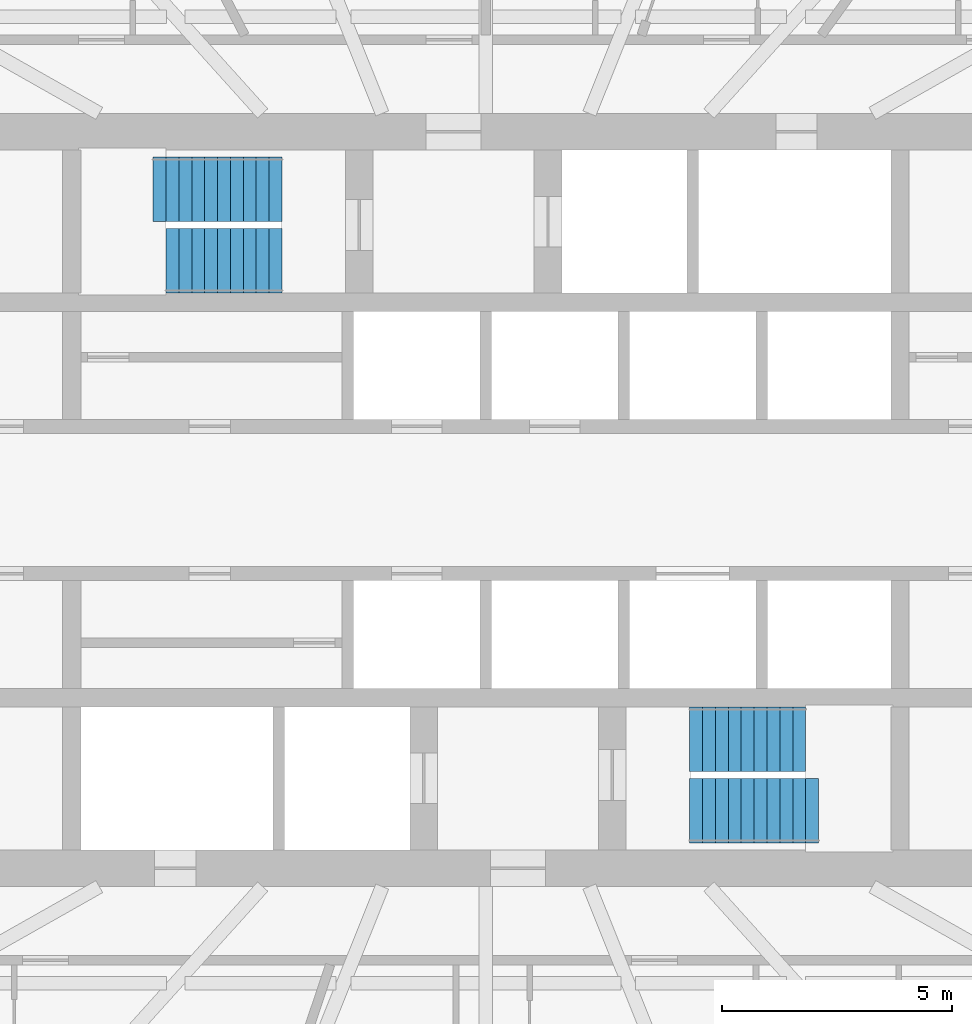
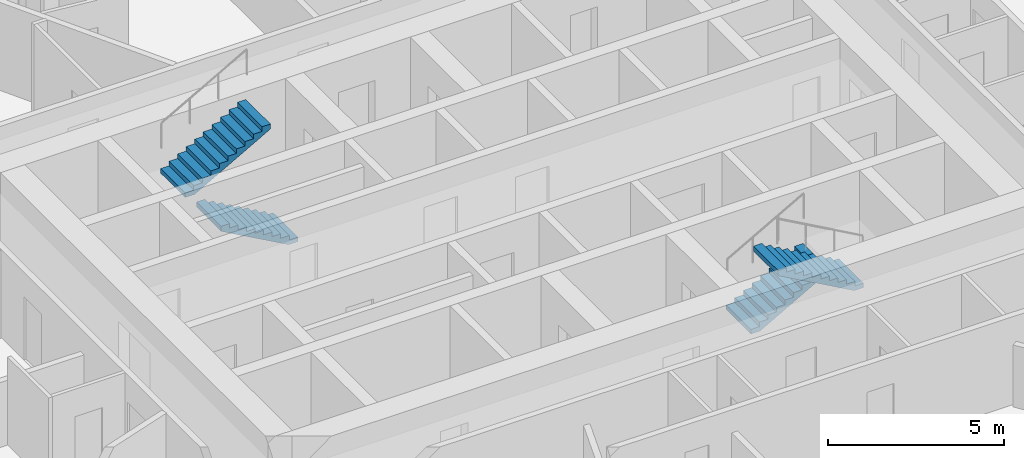
# One storey, part 13 of 14: 4 stair flights, 2 elements without a shape of their own.
"""IFC4 building model written with IfcOpenShell, lengths in metres."""

from ifc_helpers import new_model, si_unit, direction, frame, origin, place, context, subcontext, project, spatial, polyline, outline, extrude, material, type_object, element, aggregate, save


model = new_model("IFC4")

# Units and contexts
model_context = context("Model", 3, precision=1e-05, world=origin(), true_north=direction((0.0, 1.0)))
body_context = subcontext(model_context, "Body", "Model", "MODEL_VIEW")
ifc_project = project(units=[si_unit("LENGTHUNIT", "METRE"), si_unit("AREAUNIT", "SQUARE_METRE"), si_unit("VOLUMEUNIT", "CUBIC_METRE"), si_unit("PLANEANGLEUNIT", "RADIAN"), si_unit("MASSUNIT", "GRAM", prefix="KILO")], contexts=[model_context])

# Site, building, storey
site_placement = place(None, origin())
site = spatial("IfcSite", under=ifc_project, at=site_placement, CompositionType="ELEMENT")
building_placement = place(site_placement, origin())
building = spatial("IfcBuilding", under=site, at=building_placement, Name="Hankou Lantern Tower", CompositionType="ELEMENT")
storey_placement = place(building_placement, frame((0.0, 0.0, 183.0)))
storey = spatial("IfcBuildingStorey", under=building, at=storey_placement, Name="L49", CompositionType="ELEMENT", Elevation=183.0)

# Stair, stair flight
ifc_material_1 = material(Name="Concrete C40", Category="concrete")
stair_type = type_object("IfcStairType", Name="ST33 CORE STAIR 3300 RISE", PredefinedType="HALF_TURN_STAIR", material=ifc_material_1)
stair_1_placement = place(storey_placement, origin())
stair_1 = element("IfcStair", 1, at=stair_1_placement, inside=storey, type_object=stair_type, Name="Stair STA L49", PredefinedType="HALF_TURN_STAIR")
ifc_material_2 = material(Name="Concrete C40", Category="concrete")
stair_flight_type_1 = type_object("IfcStairFlightType", Name="CF10 CORE STAIR FLIGHT 1400 X 10 RISERS", PredefinedType="STRAIGHT", material=ifc_material_2)
stair_flight_1_placement = place(storey_placement, frame((-4.429931640625, 5.199951171875, 0.0), z_axis=(0.0, 0.0, 1.0), x_axis=(-1.0, 0.0, 0.0)))
stair_flight_1 = element("IfcStairFlight", 2, at=stair_flight_1_placement, type_object=stair_flight_type_1, Name="STA flight 1", NumberOfRisers=10, NumberOfTreads=9, PredefinedType="STRAIGHT", RiserHeight=0.157142857, TreadLength=0.28, context=body_context, shape_type="SweptSolid", body=[
    extrude(outline(polyline([(0.0, 0.0), (0.0, 0.1572265625), (0.280029296875, 0.1572265625), (0.280029296875, 0.314208984375), (0.56005859375, 0.314208984375), (0.56005859375, 0.471435546875), (0.840087890625, 0.471435546875), (0.840087890625, 0.628662109375), (1.1201171875, 0.628662109375), (1.1201171875, 0.78564453125), (1.39990234375, 0.78564453125), (1.39990234375, 0.94287109375), (1.679931640625, 0.94287109375), (1.679931640625, 1.10009765625), (1.9599609375, 1.10009765625), (1.9599609375, 1.257080078125), (2.239990234375, 1.257080078125), (2.239990234375, 1.414306640625), (2.52001953125, 1.414306640625), (2.52001953125, 1.571533203125), (2.52001953125, 1.242431640625), (0.306396484375, 0.0), (0.0, 0.0)])), frame((0.0, 0.699951171875, 0.0), z_axis=(0.0, -1.0, 0.0), x_axis=(1.0, 0.0, 0.0)), (0.0, 0.0, 1.0), 1.39990234375),
])

stair_2_placement = place(storey_placement, origin())
stair_2 = element("IfcStair", 3, at=stair_2_placement, inside=storey, type_object=stair_type, Name="Stair STB L49", PredefinedType="HALF_TURN_STAIR")
stair_flight_2_placement = place(storey_placement, frame((4.429931640625, -5.199951171875, 0.0), z_axis=(0.0, 0.0, 1.0), x_axis=(1.0, 0.0, 0.0)))
stair_flight_2 = element("IfcStairFlight", 4, at=stair_flight_2_placement, type_object=stair_flight_type_1, Name="STB flight 1", NumberOfRisers=10, NumberOfTreads=9, PredefinedType="STRAIGHT", RiserHeight=0.157142857, TreadLength=0.28, context=body_context, shape_type="SweptSolid", body=[
    extrude(outline(polyline([(0.0, 0.0), (0.0, 0.1572265625), (0.280029296875, 0.1572265625), (0.280029296875, 0.314208984375), (0.56005859375, 0.314208984375), (0.56005859375, 0.471435546875), (0.840087890625, 0.471435546875), (0.840087890625, 0.628662109375), (1.1201171875, 0.628662109375), (1.1201171875, 0.78564453125), (1.39990234375, 0.78564453125), (1.39990234375, 0.94287109375), (1.679931640625, 0.94287109375), (1.679931640625, 1.10009765625), (1.9599609375, 1.10009765625), (1.9599609375, 1.257080078125), (2.239990234375, 1.257080078125), (2.239990234375, 1.414306640625), (2.52001953125, 1.414306640625), (2.52001953125, 1.571533203125), (2.52001953125, 1.242431640625), (0.306396484375, 0.0), (0.0, 0.0)])), frame((0.0, 0.699951171875, 0.0), z_axis=(0.0, -1.0, 0.0), x_axis=(1.0, 0.0, 0.0)), (0.0, 0.0, 1.0), 1.39990234375),
])

# Stair flight
ifc_material_3 = material(Name="Concrete C40", Category="concrete")
stair_flight_type_2 = type_object("IfcStairFlightType", Name="CF11 CORE STAIR FLIGHT 1400 X 11 RISERS", PredefinedType="STRAIGHT", material=ifc_material_3)
stair_flight_3_placement = place(storey_placement, frame((-7.22998046875, 6.75, 1.571533203125), z_axis=(0.0, 0.0, 1.0), x_axis=(1.0, 0.0, 0.0)))
stair_flight_3 = element("IfcStairFlight", 5, at=stair_flight_3_placement, type_object=stair_flight_type_2, Name="STA flight 2", NumberOfRisers=11, NumberOfTreads=10, PredefinedType="STRAIGHT", RiserHeight=0.157142857, TreadLength=0.28, context=body_context, shape_type="SweptSolid", body=[
    extrude(outline(polyline([(0.0, 0.0), (0.0, 0.1572265625), (0.280029296875, 0.1572265625), (0.280029296875, 0.314208984375), (0.56005859375, 0.314208984375), (0.56005859375, 0.471435546875), (0.840087890625, 0.471435546875), (0.840087890625, 0.628662109375), (1.1201171875, 0.628662109375), (1.1201171875, 0.78564453125), (1.39990234375, 0.78564453125), (1.39990234375, 0.94287109375), (1.679931640625, 0.94287109375), (1.679931640625, 1.10009765625), (1.9599609375, 1.10009765625), (1.9599609375, 1.257080078125), (2.239990234375, 1.257080078125), (2.239990234375, 1.414306640625), (2.52001953125, 1.414306640625), (2.52001953125, 1.571533203125), (2.800048828125, 1.571533203125), (2.800048828125, 1.728515625), (2.800048828125, 1.3994140625), (0.306396484375, 0.0), (0.0, 0.0)])), frame((0.0, 0.699951171875, 0.0), z_axis=(0.0, -1.0, 0.0), x_axis=(1.0, 0.0, 0.0)), (0.0, 0.0, 1.0), 1.39990234375),
])

aggregate(stair_1, [stair_flight_1, stair_flight_3])

stair_flight_4_placement = place(storey_placement, frame((7.22998046875, -6.75, 1.571533203125), z_axis=(0.0, 0.0, 1.0), x_axis=(-1.0, 0.0, 0.0)))
stair_flight_4 = element("IfcStairFlight", 6, at=stair_flight_4_placement, type_object=stair_flight_type_2, Name="STB flight 2", NumberOfRisers=11, NumberOfTreads=10, PredefinedType="STRAIGHT", RiserHeight=0.157142857, TreadLength=0.28, context=body_context, shape_type="SweptSolid", body=[
    extrude(outline(polyline([(0.0, 0.0), (0.0, 0.1572265625), (0.280029296875, 0.1572265625), (0.280029296875, 0.314208984375), (0.56005859375, 0.314208984375), (0.56005859375, 0.471435546875), (0.840087890625, 0.471435546875), (0.840087890625, 0.628662109375), (1.1201171875, 0.628662109375), (1.1201171875, 0.78564453125), (1.39990234375, 0.78564453125), (1.39990234375, 0.94287109375), (1.679931640625, 0.94287109375), (1.679931640625, 1.10009765625), (1.9599609375, 1.10009765625), (1.9599609375, 1.257080078125), (2.239990234375, 1.257080078125), (2.239990234375, 1.414306640625), (2.52001953125, 1.414306640625), (2.52001953125, 1.571533203125), (2.800048828125, 1.571533203125), (2.800048828125, 1.728515625), (2.800048828125, 1.3994140625), (0.306396484375, 0.0), (0.0, 0.0)])), frame((0.0, 0.699951171875, 0.0), z_axis=(0.0, -1.0, 0.0), x_axis=(1.0, 0.0, 0.0)), (0.0, 0.0, 1.0), 1.39990234375),
])

aggregate(stair_2, [stair_flight_2, stair_flight_4])

save(model, "model.ifc")
